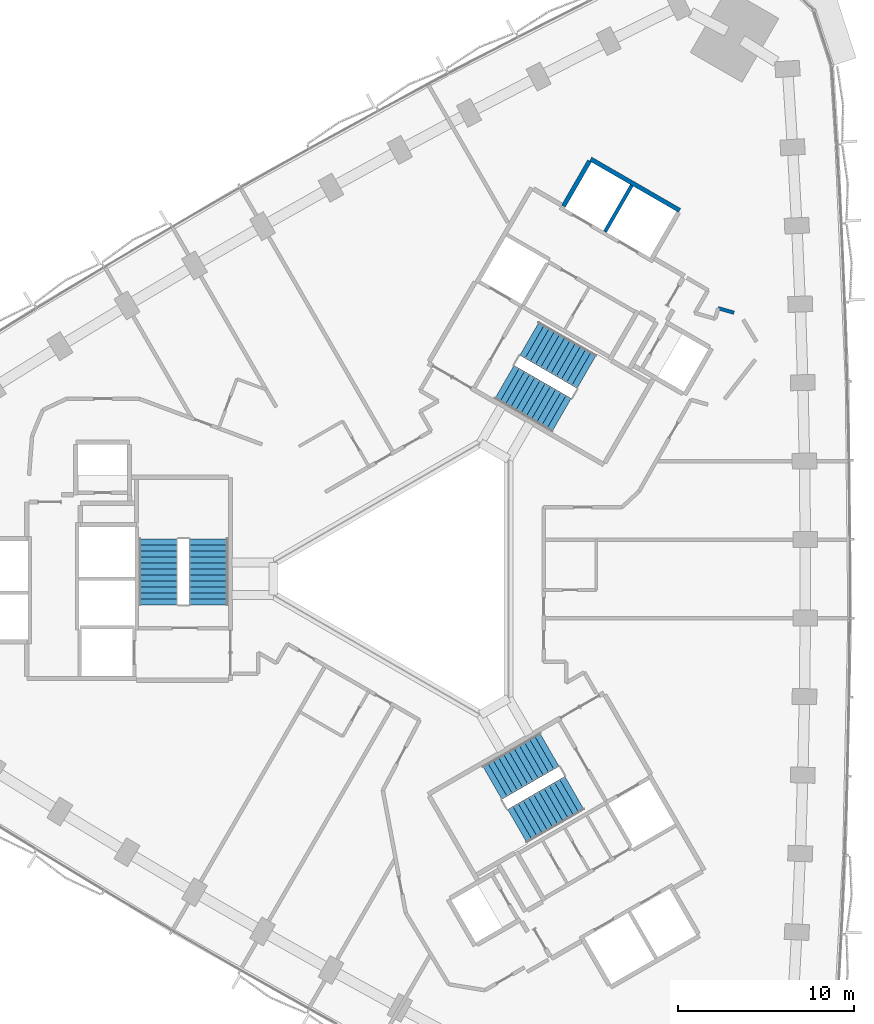
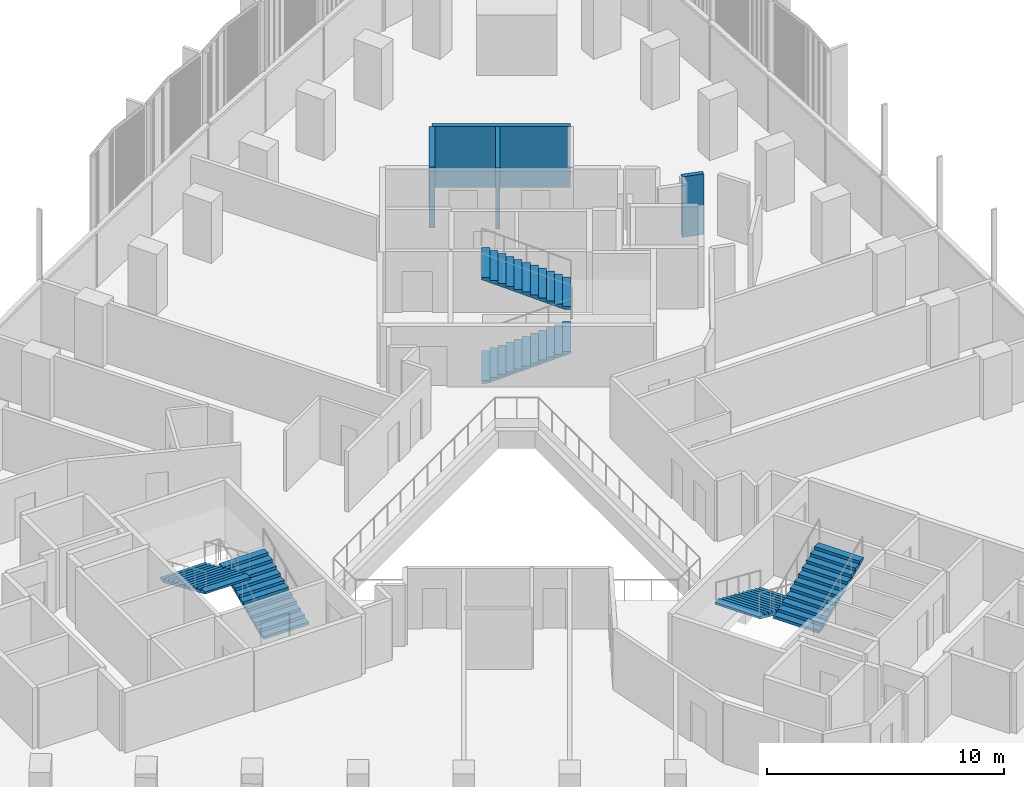
# One storey, part 13 of 16: 6 stair flights, 4 walls, 3 elements without a shape of their own.
"""IFC4 building model written with IfcOpenShell, lengths in metres."""

from ifc_helpers import new_model, si_unit, direction, frame, frame_2d, origin, place, context, subcontext, project, spatial, polyline, rectangle, outline, extrude, material, layer, layer_set, type_object, element, aggregate, save


model = new_model("IFC4")

# Units and contexts
model_context = context("Model", 3, precision=1e-05, world=origin(), true_north=direction((0.0, 1.0)))
body_context = subcontext(model_context, "Body", "Model", "MODEL_VIEW")
ifc_project = project(units=[si_unit("LENGTHUNIT", "METRE"), si_unit("AREAUNIT", "SQUARE_METRE"), si_unit("VOLUMEUNIT", "CUBIC_METRE"), si_unit("PLANEANGLEUNIT", "RADIAN"), si_unit("MASSUNIT", "GRAM", prefix="KILO")], contexts=[model_context])

# Site, building, storey
site_placement = place(None, origin())
site = spatial("IfcSite", under=ifc_project, at=site_placement, CompositionType="ELEMENT")
building_placement = place(site_placement, origin())
building = spatial("IfcBuilding", under=site, at=building_placement, Name="Tamra Quay Hotel Tower", CompositionType="ELEMENT")
storey_placement = place(building_placement, frame((0.0, 0.0, 56.60009765625)))
storey = spatial("IfcBuildingStorey", under=building, at=storey_placement, Name="L12", CompositionType="ELEMENT", Elevation=56.60009765625)

# Walls
ifc_material_1 = material(Name="Concrete M70", Category="concrete")
ifc_layer_1 = layer(ifc_material_1, 0.199951171875)
ifc_layer_set_1 = layer_set([ifc_layer_1], Name="Concrete M70 core wall 200")
wall_type_1 = type_object("IfcWallType", Name="Concrete M70 core wall 200", PredefinedType="SHEAR", material=ifc_layer_set_1)
wall_1_placement = place(storey_placement, frame((10.48876953125, 19.76708984375, 0.0), z_axis=(0.0, 0.0, 1.0), x_axis=(0.499946628782, 0.866056215479, 0.0)))
element("IfcWall", 1, at=wall_1_placement, inside=storey, type_object=wall_type_1, Name="CW2", PredefinedType="SHEAR", context=body_context, shape_type="SweptSolid", body=[
    extrude(rectangle(XDim=3.048095703125, YDim=0.199951171875, at=frame_2d((1.52392578125, 0.0))), origin(), (0.0, 0.0, 1.0), 3.125),
])
ifc_layer_2 = layer(ifc_material_1, 0.25)
ifc_layer_set_2 = layer_set([ifc_layer_2], Name="Concrete M70 core wall 250")
wall_type_2 = type_object("IfcWallType", Name="Concrete M70 core wall 250", PredefinedType="SHEAR", material=ifc_layer_set_2)
wall_2_placement = place(storey_placement, frame((9.672607421875, 23.9033203125, 0.0), z_axis=(0.0, 0.0, 1.0), x_axis=(0.86603616409, -0.499981362141, 0.0)))
element("IfcWall", 2, at=wall_2_placement, inside=storey, type_object=wall_type_2, Name="CW1", PredefinedType="SHEAR", context=body_context, shape_type="SweptSolid", body=[
    extrude(rectangle(XDim=5.849853515625, YDim=0.25, at=frame_2d((2.9248046875, 0.0))), origin(), (0.0, 0.0, 1.0), 3.125),
])
wall_3_placement = place(storey_placement, frame((8.12255859375, 21.21875, 0.0), z_axis=(0.0, 0.0, 1.0), x_axis=(0.499987686533, 0.866032512851, 0.0)))
element("IfcWall", 3, at=wall_3_placement, inside=storey, type_object=wall_type_2, Name="CW1", PredefinedType="SHEAR", context=body_context, shape_type="SweptSolid", body=[
    extrude(rectangle(XDim=2.974609375, YDim=0.25, at=frame_2d((1.4873046875, 0.0))), origin(), (0.0, 0.0, 1.0), 3.125),
])
ifc_material_2 = material(Name="Partition corridor wall")
ifc_layer_3 = layer(ifc_material_2, 0.199951171875)
ifc_layer_set_3 = layer_set([ifc_layer_3], Name="Partition corridor wall")
wall_type_3 = type_object("IfcWallType", Name="Partition corridor wall", PredefinedType="PARTITIONING", material=ifc_layer_set_3)
wall_4_placement = place(storey_placement, frame((16.93505859375, 15.409912109375, 0.0), z_axis=(0.0, 0.0, 1.0), x_axis=(0.961602664273, -0.274445470107, 0.0)))
element("IfcWall", 4, at=wall_4_placement, inside=storey, type_object=wall_type_3, Name="W-C", PredefinedType="PARTITIONING", context=body_context, shape_type="SweptSolid", body=[
    extrude(rectangle(XDim=0.935791015625, YDim=0.199951171875, at=frame_2d((0.4677734375, 0.0))), origin(), (0.0, 0.0, 1.0), 3.125),
])

# Stair, stair flights
ifc_material_3 = material(Name="Exit stair 2200 24 risers 150.0 going 342")
stair_type = type_object("IfcStairType", Name="Exit stair 2200 24 risers 150.0 going 342", PredefinedType="HALF_TURN_STAIR", material=ifc_material_3)
stair_1_placement = place(storey_placement, origin())
stair_1 = element("IfcStair", 5, at=stair_1_placement, inside=storey, type_object=stair_type, Name="L12 Exit stair ST3", PredefinedType="HALF_TURN_STAIR")
ifc_material_4 = material(Name="Exit stair flight 2200 12 risers 150.0")
stair_flight_type = type_object("IfcStairFlightType", Name="Exit stair flight 2200 12 risers 150.0", PredefinedType="STRAIGHT", material=ifc_material_4)
stair_flight_1_placement = place(storey_placement, frame((-12.082275390625, -1.47998046875, 0.0), z_axis=(0.0, 0.0, 1.0), x_axis=(0.0, 1.0, 0.0)))
stair_flight_1 = element("IfcStairFlight", 6, at=stair_flight_1_placement, type_object=stair_flight_type, Name="ST3 flight 1", NumberOfRisers=12, NumberOfTreads=11, PredefinedType="STRAIGHT", RiserHeight=0.15, TreadLength=0.342, context=body_context, shape_type="SweptSolid", body=[
    extrude(outline(polyline([(0.0, 0.0), (0.0, 0.14990234375), (0.342041015625, 0.14990234375), (0.342041015625, 0.300048828125), (0.68408203125, 0.300048828125), (0.68408203125, 0.449951171875), (1.02587890625, 0.449951171875), (1.02587890625, 0.60009765625), (1.367919921875, 0.60009765625), (1.367919921875, 0.75), (1.7099609375, 0.75), (1.7099609375, 0.89990234375), (2.052001953125, 0.89990234375), (2.052001953125, 1.050048828125), (2.39404296875, 1.050048828125), (2.39404296875, 1.199951171875), (2.736083984375, 1.199951171875), (2.736083984375, 1.35009765625), (3.077880859375, 1.35009765625), (3.077880859375, 1.5), (3.419921875, 1.5), (3.419921875, 1.64990234375), (3.761962890625, 1.64990234375), (3.761962890625, 1.800048828125), (3.761962890625, 1.540771484375), (0.249267578125, 0.0), (0.0, 0.0)])), frame((0.0, 1.10009765625, 0.0), z_axis=(0.0, -1.0, 0.0), x_axis=(1.0, 0.0, 0.0)), (0.0, 0.0, 1.0), 2.199951171875),
])
stair_flight_2_placement = place(storey_placement, frame((-14.94140625, 2.281982421875, 1.7998046875), z_axis=(0.0, 0.0, 1.0), x_axis=(0.0, -1.0, 0.0)))
stair_flight_2 = element("IfcStairFlight", 7, at=stair_flight_2_placement, type_object=stair_flight_type, Name="ST3 flight 2", NumberOfRisers=12, NumberOfTreads=11, PredefinedType="STRAIGHT", RiserHeight=0.15, TreadLength=0.342, context=body_context, shape_type="SweptSolid", body=[
    extrude(outline(polyline([(0.0, 0.0), (0.0, 0.14990234375), (0.342041015625, 0.14990234375), (0.342041015625, 0.300048828125), (0.68408203125, 0.300048828125), (0.68408203125, 0.449951171875), (1.02587890625, 0.449951171875), (1.02587890625, 0.60009765625), (1.367919921875, 0.60009765625), (1.367919921875, 0.75), (1.7099609375, 0.75), (1.7099609375, 0.89990234375), (2.052001953125, 0.89990234375), (2.052001953125, 1.050048828125), (2.39404296875, 1.050048828125), (2.39404296875, 1.199951171875), (2.736083984375, 1.199951171875), (2.736083984375, 1.35009765625), (3.077880859375, 1.35009765625), (3.077880859375, 1.5), (3.419921875, 1.5), (3.419921875, 1.64990234375), (3.761962890625, 1.64990234375), (3.761962890625, 1.800048828125), (3.761962890625, 1.540771484375), (0.249267578125, 0.0), (0.0, 0.0)])), frame((0.0, 1.10009765625, 0.0), z_axis=(0.0, -1.0, 0.0), x_axis=(1.0, 0.0, 0.0)), (0.0, 0.0, 1.0), 2.199951171875),
])
aggregate(stair_1, [stair_flight_1, stair_flight_2])

stair_2_placement = place(storey_placement, origin())
stair_2 = element("IfcStair", 8, at=stair_2_placement, inside=storey, type_object=stair_type, Name="L12 Exit stair ST1", PredefinedType="HALF_TURN_STAIR")
stair_flight_3_placement = place(storey_placement, frame((4.75927734375, 11.20361328125, 0.0), z_axis=(0.0, 0.0, 1.0), x_axis=(0.866025403784, -0.5, 0.0)))
stair_flight_3 = element("IfcStairFlight", 9, at=stair_flight_3_placement, type_object=stair_flight_type, Name="ST1 flight 1", NumberOfRisers=12, NumberOfTreads=11, PredefinedType="STRAIGHT", RiserHeight=0.15, TreadLength=0.342, context=body_context, shape_type="SweptSolid", body=[
    extrude(outline(polyline([(0.0, 0.0), (0.0, 0.14990234375), (0.342041015625, 0.14990234375), (0.342041015625, 0.300048828125), (0.68408203125, 0.300048828125), (0.68408203125, 0.449951171875), (1.02587890625, 0.449951171875), (1.02587890625, 0.60009765625), (1.367919921875, 0.60009765625), (1.367919921875, 0.75), (1.7099609375, 0.75), (1.7099609375, 0.89990234375), (2.052001953125, 0.89990234375), (2.052001953125, 1.050048828125), (2.39404296875, 1.050048828125), (2.39404296875, 1.199951171875), (2.736083984375, 1.199951171875), (2.736083984375, 1.35009765625), (3.077880859375, 1.35009765625), (3.077880859375, 1.5), (3.419921875, 1.5), (3.419921875, 1.64990234375), (3.761962890625, 1.64990234375), (3.761962890625, 1.800048828125), (3.761962890625, 1.540771484375), (0.249267578125, 0.0), (0.0, 0.0)])), frame((0.0, 1.10009765625, 0.0), z_axis=(0.0, -1.0, 0.0), x_axis=(1.0, 0.0, 0.0)), (0.0, 0.0, 1.0), 2.199951171875),
])
stair_flight_4_placement = place(storey_placement, frame((9.44677734375, 11.798583984375, 1.7998046875), z_axis=(0.0, 0.0, 1.0), x_axis=(-0.866025403784, 0.5, 0.0)))
stair_flight_4 = element("IfcStairFlight", 10, at=stair_flight_4_placement, type_object=stair_flight_type, Name="ST1 flight 2", NumberOfRisers=12, NumberOfTreads=11, PredefinedType="STRAIGHT", RiserHeight=0.15, TreadLength=0.342, context=body_context, shape_type="SweptSolid", body=[
    extrude(outline(polyline([(0.0, 0.0), (0.0, 0.14990234375), (0.342041015625, 0.14990234375), (0.342041015625, 0.300048828125), (0.68408203125, 0.300048828125), (0.68408203125, 0.449951171875), (1.02587890625, 0.449951171875), (1.02587890625, 0.60009765625), (1.367919921875, 0.60009765625), (1.367919921875, 0.75), (1.7099609375, 0.75), (1.7099609375, 0.89990234375), (2.052001953125, 0.89990234375), (2.052001953125, 1.050048828125), (2.39404296875, 1.050048828125), (2.39404296875, 1.199951171875), (2.736083984375, 1.199951171875), (2.736083984375, 1.35009765625), (3.077880859375, 1.35009765625), (3.077880859375, 1.5), (3.419921875, 1.5), (3.419921875, 1.64990234375), (3.761962890625, 1.64990234375), (3.761962890625, 1.800048828125), (3.761962890625, 1.540771484375), (0.249267578125, 0.0), (0.0, 0.0)])), frame((0.0, 1.10009765625, 0.0), z_axis=(0.0, -1.0, 0.0), x_axis=(1.0, 0.0, 0.0)), (0.0, 0.0, 1.0), 2.199951171875),
])
aggregate(stair_2, [stair_flight_3, stair_flight_4])

stair_3_placement = place(storey_placement, origin())
stair_3 = element("IfcStair", 11, at=stair_3_placement, inside=storey, type_object=stair_type, Name="L12 Exit stair ST2", PredefinedType="HALF_TURN_STAIR")
stair_flight_5_placement = place(storey_placement, frame((7.322998046875, -9.7236328125, 0.0), z_axis=(0.0, 0.0, 1.0), x_axis=(-0.866025403784, -0.5, 0.0)))
stair_flight_5 = element("IfcStairFlight", 12, at=stair_flight_5_placement, type_object=stair_flight_type, Name="ST2 flight 1", NumberOfRisers=12, NumberOfTreads=11, PredefinedType="STRAIGHT", RiserHeight=0.15, TreadLength=0.342, context=body_context, shape_type="SweptSolid", body=[
    extrude(outline(polyline([(0.0, 0.0), (0.0, 0.14990234375), (0.342041015625, 0.14990234375), (0.342041015625, 0.300048828125), (0.68408203125, 0.300048828125), (0.68408203125, 0.449951171875), (1.02587890625, 0.449951171875), (1.02587890625, 0.60009765625), (1.367919921875, 0.60009765625), (1.367919921875, 0.75), (1.7099609375, 0.75), (1.7099609375, 0.89990234375), (2.052001953125, 0.89990234375), (2.052001953125, 1.050048828125), (2.39404296875, 1.050048828125), (2.39404296875, 1.199951171875), (2.736083984375, 1.199951171875), (2.736083984375, 1.35009765625), (3.077880859375, 1.35009765625), (3.077880859375, 1.5), (3.419921875, 1.5), (3.419921875, 1.64990234375), (3.761962890625, 1.64990234375), (3.761962890625, 1.800048828125), (3.761962890625, 1.540771484375), (0.249267578125, 0.0), (0.0, 0.0)])), frame((0.0, 1.10009765625, 0.0), z_axis=(0.0, -1.0, 0.0), x_axis=(1.0, 0.0, 0.0)), (0.0, 0.0, 1.0), 2.199951171875),
])
stair_flight_6_placement = place(storey_placement, frame((5.494384765625, -14.08056640625, 1.7998046875), z_axis=(0.0, 0.0, 1.0), x_axis=(0.866025403784, 0.5, 0.0)))
stair_flight_6 = element("IfcStairFlight", 13, at=stair_flight_6_placement, type_object=stair_flight_type, Name="ST2 flight 2", NumberOfRisers=12, NumberOfTreads=11, PredefinedType="STRAIGHT", RiserHeight=0.15, TreadLength=0.342, context=body_context, shape_type="SweptSolid", body=[
    extrude(outline(polyline([(0.0, 0.0), (0.0, 0.14990234375), (0.342041015625, 0.14990234375), (0.342041015625, 0.300048828125), (0.68408203125, 0.300048828125), (0.68408203125, 0.449951171875), (1.02587890625, 0.449951171875), (1.02587890625, 0.60009765625), (1.367919921875, 0.60009765625), (1.367919921875, 0.75), (1.7099609375, 0.75), (1.7099609375, 0.89990234375), (2.052001953125, 0.89990234375), (2.052001953125, 1.050048828125), (2.39404296875, 1.050048828125), (2.39404296875, 1.199951171875), (2.736083984375, 1.199951171875), (2.736083984375, 1.35009765625), (3.077880859375, 1.35009765625), (3.077880859375, 1.5), (3.419921875, 1.5), (3.419921875, 1.64990234375), (3.761962890625, 1.64990234375), (3.761962890625, 1.800048828125), (3.761962890625, 1.540771484375), (0.249267578125, 0.0), (0.0, 0.0)])), frame((0.0, 1.10009765625, 0.0), z_axis=(0.0, -1.0, 0.0), x_axis=(1.0, 0.0, 0.0)), (0.0, 0.0, 1.0), 2.199951171875),
])
aggregate(stair_3, [stair_flight_5, stair_flight_6])

save(model, "model.ifc")
